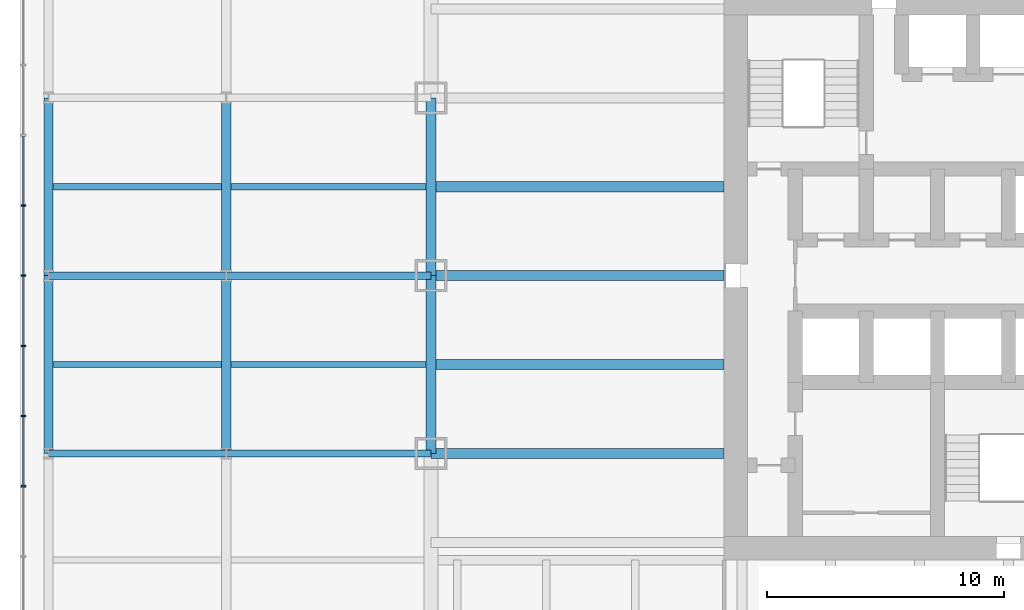
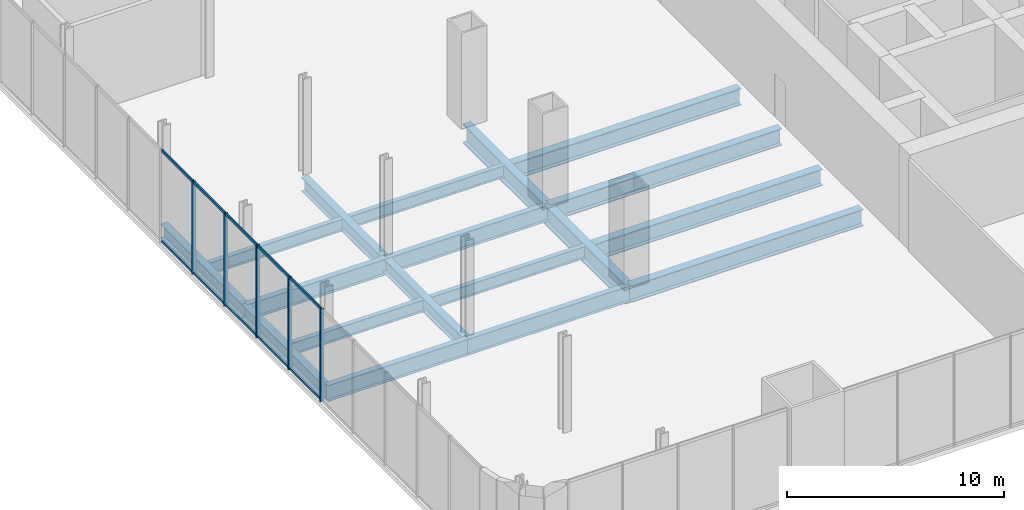
# One storey, part 3 of 17: 18 beams, 15 members, 1 element without a shape of its own.
"""IFC4 building model written with IfcOpenShell, lengths in metres."""

from ifc_helpers import new_model, si_unit, direction, frame, origin, origin_2d, place, context, subcontext, project, spatial, rectangle, i_section, extrude, material, material_profile, profile_set, type_object, element, aggregate, save


model = new_model("IFC4")

# Units and contexts
model_context = context("Model", 3, precision=1e-05, world=origin(), true_north=direction((0.0, 1.0)))
body_context = subcontext(model_context, "Body", "Model", "MODEL_VIEW")
ifc_project = project(units=[si_unit("LENGTHUNIT", "METRE"), si_unit("AREAUNIT", "SQUARE_METRE"), si_unit("VOLUMEUNIT", "CUBIC_METRE"), si_unit("PLANEANGLEUNIT", "RADIAN"), si_unit("MASSUNIT", "GRAM", prefix="KILO")], contexts=[model_context])

# Site, building, storey
site_placement = place(None, origin())
site = spatial("IfcSite", under=ifc_project, at=site_placement, CompositionType="ELEMENT")
building_placement = place(site_placement, origin())
building = spatial("IfcBuilding", under=site, at=building_placement, Name="Tarangal Relay Tower", CompositionType="ELEMENT")
storey_placement = place(building_placement, frame((0.0, 0.0, 18.0)))
storey = spatial("IfcBuildingStorey", under=building, at=storey_placement, Name="L03", CompositionType="ELEMENT", Elevation=18.0)

# Beams
ifc_material_1 = material(Name="Steel ASTM A992", Category="steel")
ifc_material_profile_1 = material_profile(ifc_material_1, i_section(OverallWidth=0.42431640625, OverallDepth=1.09228515625, WebThickness=0.04541015625, FlangeThickness=0.08203125, at=origin_2d()), Name="W40X593")
ifc_profile_set_1 = profile_set([ifc_material_profile_1], Name="Steel ASTM A992")
beam_type_1 = type_object("IfcBeamType", Name="Edge girder W40X593", PredefinedType="SPANDREL", material=ifc_profile_set_1)
for number, where, z_axis, x_axis, name in (
    (1, (-24.364990234375, -7.5, -0.796142578125), (0.0, 1.0, 0.0), (-1.0, 0.0, 0.0), "Edge girder EG9 W L03"),
    (2, (-24.364990234375, 0.0, -0.796142578125), (0.0, 1.0, 0.0), (-1.0, 0.0, 0.0), "Edge girder EG9 W L03"),
):
    element("IfcBeam", number, at=place(storey_placement, frame(where, z_axis=z_axis, x_axis=x_axis)), inside=storey, type_object=beam_type_1, Name=name, PredefinedType="SPANDREL", context=body_context, shape_type="SweptSolid", body=[
        extrude(i_section(OverallWidth=0.42431640625, OverallDepth=1.09228515625, WebThickness=0.04541015625, FlangeThickness=0.08203125, at=origin_2d()), origin(), (0.0, 0.0, 1.0), 7.5),
    ])
ifc_material_profile_2 = material_profile(ifc_material_1, i_section(OverallWidth=0.42431640625, OverallDepth=0.947509765625, WebThickness=0.02392578125, FlangeThickness=0.042724609375, at=origin_2d()), Name="W36X302")
ifc_profile_set_2 = profile_set([ifc_material_profile_2], Name="Steel ASTM A992")
beam_type_2 = type_object("IfcBeamType", Name="Floor beam W36X302", PredefinedType="BEAM", material=ifc_profile_set_2)
beam_1_placement = place(storey_placement, frame((-12.0, -7.5, -0.7236328125), z_axis=(-1.0, 0.0, 0.0), x_axis=(0.0, -1.0, 0.0)))
element("IfcBeam", 3, at=beam_1_placement, inside=storey, type_object=beam_type_2, Name="Floor beam RB10 W L03", PredefinedType="BEAM", context=body_context, shape_type="SweptSolid", body=[
    extrude(i_section(OverallWidth=0.42431640625, OverallDepth=0.947509765625, WebThickness=0.02392578125, FlangeThickness=0.042724609375, at=origin_2d()), origin(), (0.0, 0.0, 1.0), 12.364990234375),
])
beam_2_placement = place(storey_placement, frame((-12.0, -3.75, -0.7236328125), z_axis=(-1.0, 0.0, 0.0), x_axis=(0.0, -1.0, 0.0)))
element("IfcBeam", 4, at=beam_2_placement, inside=storey, type_object=beam_type_2, Name="Floor beam RB10 W L03", PredefinedType="BEAM", context=body_context, shape_type="SweptSolid", body=[
    extrude(i_section(OverallWidth=0.42431640625, OverallDepth=0.947509765625, WebThickness=0.02392578125, FlangeThickness=0.042724609375, at=origin_2d()), origin(), (0.0, 0.0, 1.0), 12.153076171875),
])
beam_3_placement = place(storey_placement, frame((-12.0, 0.0, -0.7236328125), z_axis=(-1.0, 0.0, 0.0), x_axis=(0.0, -1.0, 0.0)))
element("IfcBeam", 5, at=beam_3_placement, inside=storey, type_object=beam_type_2, Name="Floor beam RB10 W L03", PredefinedType="BEAM", context=body_context, shape_type="SweptSolid", body=[
    extrude(i_section(OverallWidth=0.42431640625, OverallDepth=0.947509765625, WebThickness=0.02392578125, FlangeThickness=0.042724609375, at=origin_2d()), origin(), (0.0, 0.0, 1.0), 12.364990234375),
])
beam_4_placement = place(storey_placement, frame((-12.0, 3.75, -0.7236328125), z_axis=(-1.0, 0.0, 0.0), x_axis=(0.0, -1.0, 0.0)))
element("IfcBeam", 6, at=beam_4_placement, inside=storey, type_object=beam_type_2, Name="Floor beam RB10 W L03", PredefinedType="BEAM", context=body_context, shape_type="SweptSolid", body=[
    extrude(i_section(OverallWidth=0.42431640625, OverallDepth=0.947509765625, WebThickness=0.02392578125, FlangeThickness=0.042724609375, at=origin_2d()), origin(), (0.0, 0.0, 1.0), 12.153076171875),
])

# Curtain wall, members
ifc_material_2 = material(Name="Unitised curtain wall, dark glass and black aluminium", Category="aluminium")
curtain_wall_type = type_object("IfcCurtainWallType", Name="Curtain wall CW-P", PredefinedType="USERDEFINED", material=ifc_material_2)
curtain_wall_placement = place(storey_placement, origin())
curtain_wall = element("IfcCurtainWall", 7, at=curtain_wall_placement, inside=storey, type_object=curtain_wall_type, Name="Curtain wall CW-P Podium W facade L03", ObjectType="UNITISED CURTAIN WALL", PredefinedType="USERDEFINED")
ifc_material_3 = material(Name="Black anodised aluminium mullion", Category="aluminium")
ifc_material_profile_3 = material_profile(ifc_material_3, rectangle(XDim=0.199951171875, YDim=0.070068359375, at=origin_2d()), Name="CW-PM 70X200")
ifc_profile_set_3 = profile_set([ifc_material_profile_3], Name="Black anodised aluminium mullion")
member_type_1 = type_object("IfcMemberType", Name="Mullion CW-P 70 x 200", PredefinedType="MULLION", material=ifc_profile_set_3)
member_1_placement = place(storey_placement, frame((-41.550048828125, 2.96240234375, 0.0), z_axis=(0.0, 0.0, 1.0), x_axis=(1.0, 0.0, 0.0)))
member_1 = element("IfcMember", 8, at=member_1_placement, type_object=member_type_1, Name="CW-P mullion 8", PredefinedType="MULLION", context=body_context, shape_type="SweptSolid", body=[
    extrude(rectangle(XDim=0.199951171875, YDim=0.070068359375, at=origin_2d()), origin(), (0.0, 0.0, 1.0), 5.199951171875),
])
member_2_placement = place(storey_placement, frame((-41.550048828125, 0.0, 0.0), z_axis=(0.0, 0.0, 1.0), x_axis=(1.0, 0.0, 0.0)))
member_2 = element("IfcMember", 9, at=member_2_placement, type_object=member_type_1, Name="CW-P mullion 9", PredefinedType="MULLION", context=body_context, shape_type="SweptSolid", body=[
    extrude(rectangle(XDim=0.199951171875, YDim=0.070068359375, at=origin_2d()), origin(), (0.0, 0.0, 1.0), 5.199951171875),
])
member_3_placement = place(storey_placement, frame((-41.550048828125, -2.96240234375, 0.0), z_axis=(0.0, 0.0, 1.0), x_axis=(1.0, 0.0, 0.0)))
member_3 = element("IfcMember", 10, at=member_3_placement, type_object=member_type_1, Name="CW-P mullion 10", PredefinedType="MULLION", context=body_context, shape_type="SweptSolid", body=[
    extrude(rectangle(XDim=0.199951171875, YDim=0.070068359375, at=origin_2d()), origin(), (0.0, 0.0, 1.0), 5.199951171875),
])
member_4_placement = place(storey_placement, frame((-41.550048828125, -5.925048828125, 0.0), z_axis=(0.0, 0.0, 1.0), x_axis=(1.0, 0.0, 0.0)))
member_4 = element("IfcMember", 11, at=member_4_placement, type_object=member_type_1, Name="CW-P mullion 11", PredefinedType="MULLION", context=body_context, shape_type="SweptSolid", body=[
    extrude(rectangle(XDim=0.199951171875, YDim=0.070068359375, at=origin_2d()), origin(), (0.0, 0.0, 1.0), 5.199951171875),
])
member_5_placement = place(storey_placement, frame((-41.550048828125, -8.887451171875, 0.0), z_axis=(0.0, 0.0, 1.0), x_axis=(1.0, 0.0, 0.0)))
member_5 = element("IfcMember", 12, at=member_5_placement, type_object=member_type_1, Name="CW-P mullion 12", PredefinedType="MULLION", context=body_context, shape_type="SweptSolid", body=[
    extrude(rectangle(XDim=0.199951171875, YDim=0.070068359375, at=origin_2d()), origin(), (0.0, 0.0, 1.0), 5.199951171875),
])

# Beams
ifc_material_profile_4 = material_profile(ifc_material_1, i_section(OverallWidth=0.3046875, OverallDepth=0.911865234375, WebThickness=0.015869140625, FlangeThickness=0.02392578125, at=origin_2d()), Name="W36X150")
ifc_profile_set_4 = profile_set([ifc_material_profile_4], Name="Steel ASTM A992")
beam_type_3 = type_object("IfcBeamType", Name="Podium beam W36X150", PredefinedType="BEAM", material=ifc_profile_set_4)
beam_5_placement = place(storey_placement, frame((-24.364990234375, -7.5, -0.7060546875), z_axis=(-1.0, 0.0, 0.0), x_axis=(0.0, -1.0, 0.0)))
element("IfcBeam", 13, at=beam_5_placement, inside=storey, type_object=beam_type_3, Name="Podium beam PB1 L03", PredefinedType="BEAM", context=body_context, shape_type="SweptSolid", body=[
    extrude(i_section(OverallWidth=0.3046875, OverallDepth=0.911865234375, WebThickness=0.015869140625, FlangeThickness=0.02392578125, at=origin_2d()), origin(), (0.0, 0.0, 1.0), 8.635009765625),
])
beam_6_placement = place(storey_placement, frame((-33.0, -7.5, -0.7060546875), z_axis=(-1.0, 0.0, 0.0), x_axis=(0.0, -1.0, 0.0)))
element("IfcBeam", 14, at=beam_6_placement, inside=storey, type_object=beam_type_3, Name="Podium beam PB1 L03", PredefinedType="BEAM", context=body_context, shape_type="SweptSolid", body=[
    extrude(i_section(OverallWidth=0.3046875, OverallDepth=0.911865234375, WebThickness=0.015869140625, FlangeThickness=0.02392578125, at=origin_2d()), origin(), (0.0, 0.0, 1.0), 7.5),
])
beam_7_placement = place(storey_placement, frame((-24.364990234375, 0.0, -0.7060546875), z_axis=(-1.0, 0.0, 0.0), x_axis=(0.0, -1.0, 0.0)))
element("IfcBeam", 15, at=beam_7_placement, inside=storey, type_object=beam_type_3, Name="Podium beam PB1 L03", PredefinedType="BEAM", context=body_context, shape_type="SweptSolid", body=[
    extrude(i_section(OverallWidth=0.3046875, OverallDepth=0.911865234375, WebThickness=0.015869140625, FlangeThickness=0.02392578125, at=origin_2d()), origin(), (0.0, 0.0, 1.0), 8.635009765625),
])
beam_8_placement = place(storey_placement, frame((-33.0, 0.0, -0.7060546875), z_axis=(-1.0, 0.0, 0.0), x_axis=(0.0, -1.0, 0.0)))
element("IfcBeam", 16, at=beam_8_placement, inside=storey, type_object=beam_type_3, Name="Podium beam PB1 L03", PredefinedType="BEAM", context=body_context, shape_type="SweptSolid", body=[
    extrude(i_section(OverallWidth=0.3046875, OverallDepth=0.911865234375, WebThickness=0.015869140625, FlangeThickness=0.02392578125, at=origin_2d()), origin(), (0.0, 0.0, 1.0), 7.5),
])
ifc_material_profile_5 = material_profile(ifc_material_1, i_section(OverallWidth=0.383544921875, OverallDepth=0.784912109375, WebThickness=0.019775390625, FlangeThickness=0.033447265625, at=origin_2d()), Name="W30X211")
ifc_profile_set_5 = profile_set([ifc_material_profile_5], Name="Steel ASTM A992")
beam_type_4 = type_object("IfcBeamType", Name="Podium girder W30X211", PredefinedType="BEAM", material=ifc_profile_set_5)
for number, where, z_axis, x_axis, name in (
    (17, (-33.0, -7.5, -0.642578125), (0.0, 1.0, 0.0), (-1.0, 0.0, 0.0), "Podium girder PG1 L03"),
    (18, (-33.0, 0.0, -0.642578125), (0.0, 1.0, 0.0), (-1.0, 0.0, 0.0), "Podium girder PG1 L03"),
    (19, (-40.5, -7.5, -0.642578125), (0.0, 1.0, 0.0), (-1.0, 0.0, 0.0), "Podium girder PG1 L03"),
    (20, (-40.5, 0.0, -0.642578125), (0.0, 1.0, 0.0), (-1.0, 0.0, 0.0), "Podium girder PG1 L03"),
):
    element("IfcBeam", number, at=place(storey_placement, frame(where, z_axis=z_axis, x_axis=x_axis)), inside=storey, type_object=beam_type_4, Name=name, PredefinedType="BEAM", context=body_context, shape_type="SweptSolid", body=[
        extrude(i_section(OverallWidth=0.383544921875, OverallDepth=0.784912109375, WebThickness=0.019775390625, FlangeThickness=0.033447265625, at=origin_2d()), origin(), (0.0, 0.0, 1.0), 7.5),
    ])
ifc_material_profile_6 = material_profile(ifc_material_1, i_section(OverallWidth=0.25390625, OverallDepth=0.683349609375, WebThickness=0.012451171875, FlangeThickness=0.018798828125, at=origin_2d()), Name="W27X94")
ifc_profile_set_6 = profile_set([ifc_material_profile_6], Name="Steel ASTM A992")
beam_type_5 = type_object("IfcBeamType", Name="Podium joist W27X94", PredefinedType="JOIST", material=ifc_profile_set_6)
beam_9_placement = place(storey_placement, frame((-24.576904296875, -3.75, -0.591796875), z_axis=(-1.0, 0.0, 0.0), x_axis=(0.0, -1.0, 0.0)))
element("IfcBeam", 21, at=beam_9_placement, inside=storey, type_object=beam_type_5, Name="Podium joist PJ1 L03", PredefinedType="JOIST", context=body_context, shape_type="SweptSolid", body=[
    extrude(i_section(OverallWidth=0.25390625, OverallDepth=0.683349609375, WebThickness=0.012451171875, FlangeThickness=0.018798828125, at=origin_2d()), origin(), (0.0, 0.0, 1.0), 8.232177734375),
])
beam_10_placement = place(storey_placement, frame((-33.19091796875, -3.75, -0.591796875), z_axis=(-1.0, 0.0, 0.0), x_axis=(0.0, -1.0, 0.0)))
element("IfcBeam", 22, at=beam_10_placement, inside=storey, type_object=beam_type_5, Name="Podium joist PJ1 L03", PredefinedType="JOIST", context=body_context, shape_type="SweptSolid", body=[
    extrude(i_section(OverallWidth=0.25390625, OverallDepth=0.683349609375, WebThickness=0.012451171875, FlangeThickness=0.018798828125, at=origin_2d()), origin(), (0.0, 0.0, 1.0), 7.1181640625),
])
beam_11_placement = place(storey_placement, frame((-24.576904296875, 3.75, -0.591796875), z_axis=(-1.0, 0.0, 0.0), x_axis=(0.0, -1.0, 0.0)))
element("IfcBeam", 23, at=beam_11_placement, inside=storey, type_object=beam_type_5, Name="Podium joist PJ1 L03", PredefinedType="JOIST", context=body_context, shape_type="SweptSolid", body=[
    extrude(i_section(OverallWidth=0.25390625, OverallDepth=0.683349609375, WebThickness=0.012451171875, FlangeThickness=0.018798828125, at=origin_2d()), origin(), (0.0, 0.0, 1.0), 8.232177734375),
])
beam_12_placement = place(storey_placement, frame((-33.19091796875, 3.75, -0.591796875), z_axis=(-1.0, 0.0, 0.0), x_axis=(0.0, -1.0, 0.0)))
element("IfcBeam", 24, at=beam_12_placement, inside=storey, type_object=beam_type_5, Name="Podium joist PJ1 L03", PredefinedType="JOIST", context=body_context, shape_type="SweptSolid", body=[
    extrude(i_section(OverallWidth=0.25390625, OverallDepth=0.683349609375, WebThickness=0.012451171875, FlangeThickness=0.018798828125, at=origin_2d()), origin(), (0.0, 0.0, 1.0), 7.1181640625),
])

# Member
ifc_material_4 = material(Name="Black anodised aluminium transom", Category="aluminium")
ifc_material_profile_7 = material_profile(ifc_material_4, rectangle(XDim=0.070068359375, YDim=0.159912109375, at=origin_2d()), Name="CW-PT 70X160")
ifc_profile_set_7 = profile_set([ifc_material_profile_7], Name="Black anodised aluminium transom")
member_type_2 = type_object("IfcMemberType", Name="Transom CW-P 70 x 160", PredefinedType="USERDEFINED", material=ifc_profile_set_7)
member_6_placement = place(storey_placement, frame((-41.550048828125, 5.889892578125, 0.034912109375), z_axis=(0.0, -1.0, 0.0), x_axis=(1.0, 0.0, 0.0)))
member_6 = element("IfcMember", 25, at=member_6_placement, type_object=member_type_2, Name="CW-P transom 7.1", ObjectType="TRANSOM", PredefinedType="USERDEFINED", context=body_context, shape_type="SweptSolid", body=[
    extrude(rectangle(XDim=0.070068359375, YDim=0.159912109375, at=origin_2d()), origin(), (0.0, 0.0, 1.0), 2.892333984375),
])

member_7_placement = place(storey_placement, frame((-41.550048828125, 5.889892578125, 5.1650390625), z_axis=(0.0, -1.0, 0.0), x_axis=(1.0, 0.0, 0.0)))
member_7 = element("IfcMember", 26, at=member_7_placement, type_object=member_type_2, Name="CW-P transom 7.2", ObjectType="TRANSOM", PredefinedType="USERDEFINED", context=body_context, shape_type="SweptSolid", body=[
    extrude(rectangle(XDim=0.070068359375, YDim=0.159912109375, at=origin_2d()), origin(), (0.0, 0.0, 1.0), 2.892333984375),
])

member_8_placement = place(storey_placement, frame((-41.550048828125, 2.927490234375, 0.034912109375), z_axis=(0.0, -1.0, 0.0), x_axis=(1.0, 0.0, 0.0)))
member_8 = element("IfcMember", 27, at=member_8_placement, type_object=member_type_2, Name="CW-P transom 8.1", ObjectType="TRANSOM", PredefinedType="USERDEFINED", context=body_context, shape_type="SweptSolid", body=[
    extrude(rectangle(XDim=0.070068359375, YDim=0.159912109375, at=origin_2d()), origin(), (0.0, 0.0, 1.0), 2.892578125),
])

member_9_placement = place(storey_placement, frame((-41.550048828125, 2.927490234375, 5.1650390625), z_axis=(0.0, -1.0, 0.0), x_axis=(1.0, 0.0, 0.0)))
member_9 = element("IfcMember", 28, at=member_9_placement, type_object=member_type_2, Name="CW-P transom 8.2", ObjectType="TRANSOM", PredefinedType="USERDEFINED", context=body_context, shape_type="SweptSolid", body=[
    extrude(rectangle(XDim=0.070068359375, YDim=0.159912109375, at=origin_2d()), origin(), (0.0, 0.0, 1.0), 2.892578125),
])

member_10_placement = place(storey_placement, frame((-41.550048828125, -0.034912109375, 0.034912109375), z_axis=(0.0, -1.0, 0.0), x_axis=(1.0, 0.0, 0.0)))
member_10 = element("IfcMember", 29, at=member_10_placement, type_object=member_type_2, Name="CW-P transom 9.1", ObjectType="TRANSOM", PredefinedType="USERDEFINED", context=body_context, shape_type="SweptSolid", body=[
    extrude(rectangle(XDim=0.070068359375, YDim=0.159912109375, at=origin_2d()), origin(), (0.0, 0.0, 1.0), 2.892578125),
])

member_11_placement = place(storey_placement, frame((-41.550048828125, -0.034912109375, 5.1650390625), z_axis=(0.0, -1.0, 0.0), x_axis=(1.0, 0.0, 0.0)))
member_11 = element("IfcMember", 30, at=member_11_placement, type_object=member_type_2, Name="CW-P transom 9.2", ObjectType="TRANSOM", PredefinedType="USERDEFINED", context=body_context, shape_type="SweptSolid", body=[
    extrude(rectangle(XDim=0.070068359375, YDim=0.159912109375, at=origin_2d()), origin(), (0.0, 0.0, 1.0), 2.892578125),
])

member_12_placement = place(storey_placement, frame((-41.550048828125, -2.99755859375, 0.034912109375), z_axis=(0.0, -1.0, 0.0), x_axis=(1.0, 0.0, 0.0)))
member_12 = element("IfcMember", 31, at=member_12_placement, type_object=member_type_2, Name="CW-P transom 10.1", ObjectType="TRANSOM", PredefinedType="USERDEFINED", context=body_context, shape_type="SweptSolid", body=[
    extrude(rectangle(XDim=0.070068359375, YDim=0.159912109375, at=origin_2d()), origin(), (0.0, 0.0, 1.0), 2.892333984375),
])

member_13_placement = place(storey_placement, frame((-41.550048828125, -2.99755859375, 5.1650390625), z_axis=(0.0, -1.0, 0.0), x_axis=(1.0, 0.0, 0.0)))
member_13 = element("IfcMember", 32, at=member_13_placement, type_object=member_type_2, Name="CW-P transom 10.2", ObjectType="TRANSOM", PredefinedType="USERDEFINED", context=body_context, shape_type="SweptSolid", body=[
    extrude(rectangle(XDim=0.070068359375, YDim=0.159912109375, at=origin_2d()), origin(), (0.0, 0.0, 1.0), 2.892333984375),
])

member_14_placement = place(storey_placement, frame((-41.550048828125, -5.9599609375, 0.034912109375), z_axis=(0.0, -1.0, 0.0), x_axis=(1.0, 0.0, 0.0)))
member_14 = element("IfcMember", 33, at=member_14_placement, type_object=member_type_2, Name="CW-P transom 11.1", ObjectType="TRANSOM", PredefinedType="USERDEFINED", context=body_context, shape_type="SweptSolid", body=[
    extrude(rectangle(XDim=0.070068359375, YDim=0.159912109375, at=origin_2d()), origin(), (0.0, 0.0, 1.0), 2.892578125),
])

member_15_placement = place(storey_placement, frame((-41.550048828125, -5.9599609375, 5.1650390625), z_axis=(0.0, -1.0, 0.0), x_axis=(1.0, 0.0, 0.0)))
member_15 = element("IfcMember", 34, at=member_15_placement, type_object=member_type_2, Name="CW-P transom 11.2", ObjectType="TRANSOM", PredefinedType="USERDEFINED", context=body_context, shape_type="SweptSolid", body=[
    extrude(rectangle(XDim=0.070068359375, YDim=0.159912109375, at=origin_2d()), origin(), (0.0, 0.0, 1.0), 2.892578125),
])

aggregate(curtain_wall, [member_1, member_2, member_3, member_4, member_5, member_6, member_7, member_8, member_9, member_10, member_11, member_12, member_13, member_14, member_15])

save(model, "model.ifc")
